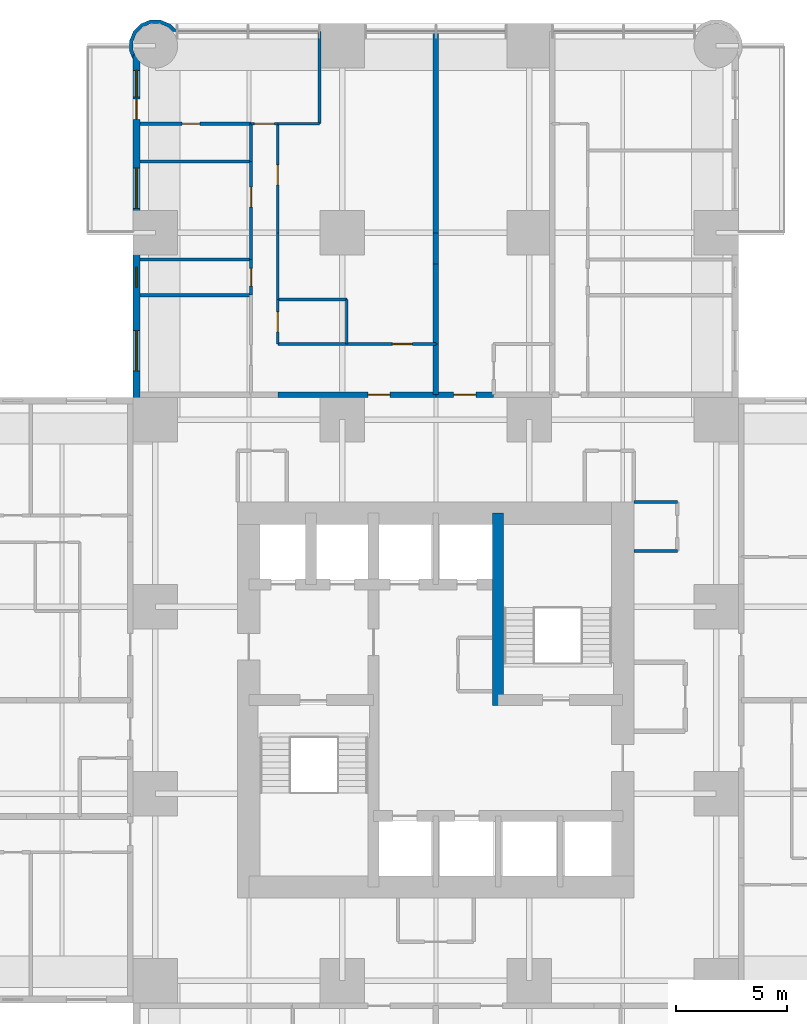
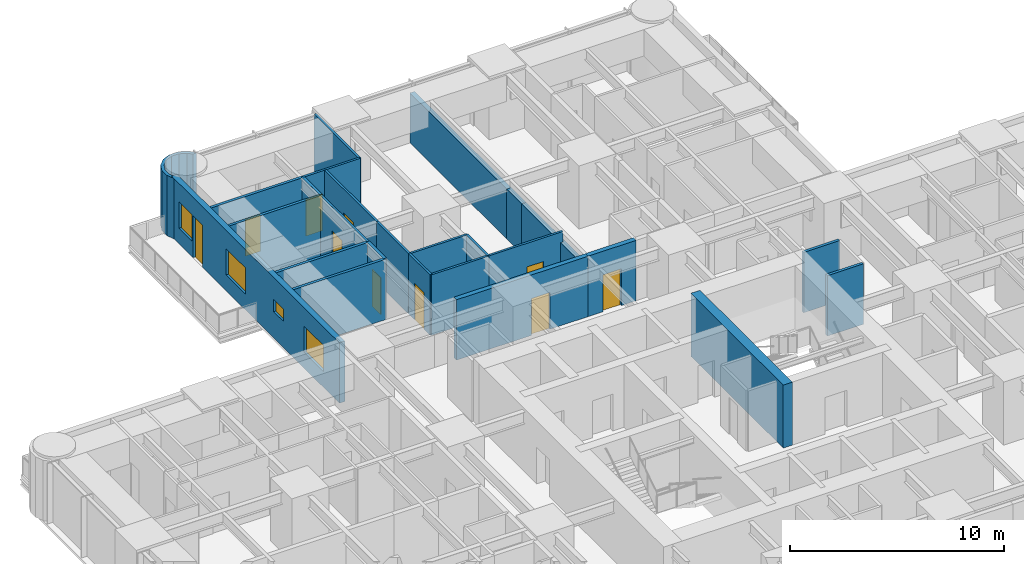
# One storey, part 13 of 17: 28 walls, 10 doors, 4 windows, 14 openings.
"""IFC4 building model written with IfcOpenShell, lengths in metres."""

from ifc_helpers import new_model, si_unit, direction, frame, frame_2d, origin, place, context, subcontext, project, spatial, polyline, rectangle, outline, extrude, material, layer, layer_set, type_object, element, fill, save


model = new_model("IFC4")

# Units and contexts
model_context = context("Model", 3, precision=1e-05, world=origin(), true_north=direction((0.0, 1.0)))
body_context = subcontext(model_context, "Body", "Model", "MODEL_VIEW")
ifc_project = project(units=[si_unit("LENGTHUNIT", "METRE"), si_unit("AREAUNIT", "SQUARE_METRE"), si_unit("VOLUMEUNIT", "CUBIC_METRE"), si_unit("PLANEANGLEUNIT", "RADIAN"), si_unit("MASSUNIT", "GRAM", prefix="KILO")], contexts=[model_context])

# Site, building, storey
site_placement = place(None, origin())
site = spatial("IfcSite", under=ifc_project, at=site_placement, CompositionType="ELEMENT")
building_placement = place(site_placement, origin())
building = spatial("IfcBuilding", under=site, at=building_placement, Name="Torre Alcanfor", CompositionType="ELEMENT")
storey_placement = place(building_placement, frame((0.0, 0.0, 95.699951171875)))
storey = spatial("IfcBuildingStorey", under=building, at=storey_placement, Name="L24", CompositionType="ELEMENT", Elevation=95.699951171875)

# Wall, opening, door
ifc_material_1 = material(Name="Concrete block masonry, hollow blocks NMX-C-404 9 MPa", Category="masonry")
ifc_layer_1 = layer(ifc_material_1, 0.25)
ifc_layer_set_1 = layer_set([ifc_layer_1], Name="Apartment entrance wall 250 EI 60")
wall_type_1 = type_object("IfcWallType", Name="Apartment entrance wall 250 EI 60", PredefinedType="PARTITIONING", material=ifc_layer_set_1)
wall_1_placement = place(storey_placement, frame((22.300048828125, 43.125, 0.0), z_axis=(0.0, 0.0, 1.0), x_axis=(1.0, 0.0, 0.0)))
wall_1 = element("IfcWall", 1, at=wall_1_placement, inside=storey, type_object=wall_type_1, Name="Partition L24-CORR / L24-N1-ZAG", PredefinedType="PARTITIONING", context=body_context, shape_type="SweptSolid", body=[
    extrude(rectangle(XDim=7.099853515625, YDim=0.25, at=frame_2d((3.5498046875, 0.0))), origin(), (0.0, 0.0, 1.0), 3.449951171875),
])
opening_1_placement = place(wall_1_placement, frame((4.050048828125, 0.0, 0.0)))
opening_1 = element("IfcOpeningElement", 2, at=opening_1_placement, cuts=wall_1, Name="Opening D-A1", PredefinedType="OPENING", context=body_context, shape_type="SweptSolid", body=[
    extrude(rectangle(XDim=1.0, YDim=2.10009765625, at=frame_2d((0.5, 1.050048828125))), frame((0.0, 0.135009765625, 0.0), z_axis=(0.0, -1.0, 0.0), x_axis=(1.0, 0.0, 0.0)), (0.0, 0.0, 1.0), 0.27001953125),
])
ifc_material_2 = material(Name="Galvanised steel sheet ASTM A653", Category="steel")
door_type_1 = type_object("IfcDoorType", Name="Apartment entrance door FD60 1000x2100", OperationType="SINGLE_SWING_LEFT", PredefinedType="DOOR", material=ifc_material_2)
door_1_placement = place(opening_1_placement, origin())
door_1 = element("IfcDoor", 3, at=door_1_placement, inside=storey, type_object=door_type_1, Name="Apartment entrance L24-N1", OperationType="SINGLE_SWING_RIGHT", OverallHeight=2.10009765625, OverallWidth=1.0, PredefinedType="DOOR", context=body_context, shape_type="SweptSolid", body=[
    extrude(rectangle(XDim=1.0, YDim=2.10009765625, at=frame_2d((0.5, 1.050048828125))), frame((0.0, 0.02490234375, 0.0), z_axis=(0.0, -1.0, 0.0), x_axis=(1.0, 0.0, 0.0)), (0.0, 0.0, 1.0), 0.050048828125),
])
fill(opening_1, door_1)

wall_2_placement = place(storey_placement, frame((29.39990234375, 43.125, 0.0), z_axis=(0.0, 0.0, 1.0), x_axis=(1.0, 0.0, 0.0)))
wall_2 = element("IfcWall", 4, at=wall_2_placement, inside=storey, type_object=wall_type_1, Name="Partition L24-CORR / L24-N2A-FOYER", PredefinedType="PARTITIONING", context=body_context, shape_type="SweptSolid", body=[
    extrude(rectangle(XDim=2.60009765625, YDim=0.25, at=frame_2d((1.300048828125, 0.0))), origin(), (0.0, 0.0, 1.0), 3.449951171875),
])
opening_2_placement = place(wall_2_placement, frame((0.800048828125, 0.0, 0.0)))
opening_2 = element("IfcOpeningElement", 5, at=opening_2_placement, cuts=wall_2, Name="Opening D-A1", PredefinedType="OPENING", context=body_context, shape_type="SweptSolid", body=[
    extrude(rectangle(XDim=1.0, YDim=2.10009765625, at=frame_2d((0.5, 1.050048828125))), frame((0.0, 0.135009765625, 0.0), z_axis=(0.0, -1.0, 0.0), x_axis=(1.0, 0.0, 0.0)), (0.0, 0.0, 1.0), 0.27001953125),
])
door_2_placement = place(opening_2_placement, origin())
door_2 = element("IfcDoor", 6, at=door_2_placement, inside=storey, type_object=door_type_1, Name="Apartment entrance L24-N2A", OperationType="SINGLE_SWING_LEFT", OverallHeight=2.10009765625, OverallWidth=1.0, PredefinedType="DOOR", context=body_context, shape_type="SweptSolid", body=[
    extrude(rectangle(XDim=1.0, YDim=2.10009765625, at=frame_2d((0.5, 1.050048828125))), frame((0.0, 0.02490234375, 0.0), z_axis=(0.0, -1.0, 0.0), x_axis=(1.0, 0.0, 0.0)), (0.0, 0.0, 1.0), 0.050048828125),
])
fill(opening_2, door_2)

ifc_material_3 = material(Name="Gypsum board on steel studs", Category="steel")
ifc_layer_2 = layer(ifc_material_3, 0.1201171875)
ifc_layer_set_2 = layer_set([ifc_layer_2], Name="Apartment partition 120")
wall_type_2 = type_object("IfcWallType", Name="Apartment partition 120", PredefinedType="PARTITIONING", material=ifc_layer_set_2)
wall_3_placement = place(storey_placement, frame((29.39990234375, 45.39990234375, 0.0), z_axis=(0.0, 0.0, 1.0), x_axis=(-1.0, 0.0, 0.0)))
wall_3 = element("IfcWall", 7, at=wall_3_placement, inside=storey, type_object=wall_type_2, Name="Partition L24-N1-ZAG / L24-N1-KITCHEN", PredefinedType="PARTITIONING", context=body_context, shape_type="SweptSolid", body=[
    extrude(rectangle(XDim=4.0, YDim=0.1201171875, at=frame_2d((2.0, 0.0))), origin(), (0.0, 0.0, 1.0), 3.449951171875),
])
opening_3_placement = place(wall_3_placement, frame((1.050048828125, 0.0, 0.0)))
opening_3 = element("IfcOpeningElement", 8, at=opening_3_placement, cuts=wall_3, Name="Opening D-R1", PredefinedType="OPENING", context=body_context, shape_type="SweptSolid", body=[
    extrude(rectangle(XDim=0.89990234375, YDim=2.10009765625, at=frame_2d((0.449951171875, 1.050048828125))), frame((0.0, 0.070068359375, 0.0), z_axis=(0.0, -1.0, 0.0), x_axis=(1.0, 0.0, 0.0)), (0.0, 0.0, 1.0), 0.14013671875),
])
ifc_material_4 = material(Name="Timber", Category="wood")
door_type_2 = type_object("IfcDoorType", Name="Internal door 900x2100", OperationType="SINGLE_SWING_LEFT", PredefinedType="DOOR", material=ifc_material_4)
door_3_placement = place(opening_3_placement, frame((0.89990234375, 0.0, 0.0), z_axis=(0.0, 0.0, 1.0), x_axis=(-1.0, 0.0, 0.0)))
door_3 = element("IfcDoor", 9, at=door_3_placement, inside=storey, type_object=door_type_2, Name="Door L24-N1 kitchen", OperationType="SINGLE_SWING_RIGHT", OverallHeight=2.10009765625, OverallWidth=0.89990234375, PredefinedType="DOOR", context=body_context, shape_type="SweptSolid", body=[
    extrude(rectangle(XDim=0.89990234375, YDim=2.10009765625, at=frame_2d((0.449951171875, 1.050048828125))), frame((0.0, 0.025146484375, 0.0), z_axis=(0.0, -1.0, 0.0), x_axis=(1.0, 0.0, 0.0)), (0.0, 0.0, 1.0), 0.050048828125),
])
fill(opening_3, door_3)

# Walls
wall_4_placement = place(storey_placement, frame((25.39990234375, 45.39990234375, 0.0), z_axis=(0.0, 0.0, 1.0), x_axis=(-1.0, 0.0, 0.0)))
element("IfcWall", 10, at=wall_4_placement, inside=storey, type_object=wall_type_2, Name="Partition L24-N1-ZAG / L24-N1-UTIL", PredefinedType="PARTITIONING", context=body_context, shape_type="SweptSolid", body=[
    extrude(rectangle(XDim=3.099853515625, YDim=0.1201171875, at=frame_2d((1.5498046875, 0.0))), origin(), (0.0, 0.0, 1.0), 3.449951171875),
])
wall_5_placement = place(storey_placement, frame((25.39990234375, 45.39990234375, 0.0), z_axis=(0.0, 0.0, 1.0), x_axis=(0.0, 1.0, 0.0)))
element("IfcWall", 11, at=wall_5_placement, inside=storey, type_object=wall_type_2, Name="Partition L24-N1-KITCHEN / L24-N1-UTIL", PredefinedType="PARTITIONING", context=body_context, shape_type="SweptSolid", body=[
    extrude(rectangle(XDim=2.0, YDim=0.1201171875, at=frame_2d((1.0, 0.0))), origin(), (0.0, 0.0, 1.0), 3.449951171875),
])
wall_6_placement = place(storey_placement, frame((25.39990234375, 47.39990234375, 0.0), z_axis=(0.0, 0.0, 1.0), x_axis=(-1.0, 0.0, 0.0)))
element("IfcWall", 12, at=wall_6_placement, inside=storey, type_object=wall_type_2, Name="Partition L24-N1-KITCHEN / L24-N1-UTIL", PredefinedType="PARTITIONING", context=body_context, shape_type="SweptSolid", body=[
    extrude(rectangle(XDim=3.099853515625, YDim=0.1201171875, at=frame_2d((1.5498046875, 0.0))), origin(), (0.0, 0.0, 1.0), 3.449951171875),
])
wall_7_placement = place(storey_placement, frame((22.300048828125, 47.39990234375, 0.0), z_axis=(0.0, 0.0, 1.0), x_axis=(0.0, 1.0, 0.0)))
element("IfcWall", 13, at=wall_7_placement, inside=storey, type_object=wall_type_2, Name="Partition L24-N1-KITCHEN / L24-N1-HALL", PredefinedType="PARTITIONING", context=body_context, shape_type="SweptSolid", body=[
    extrude(rectangle(XDim=3.0, YDim=0.1201171875, at=frame_2d((1.5, 0.0))), origin(), (0.0, 0.0, 1.0), 3.449951171875),
])

# Wall, opening, door
wall_8_placement = place(storey_placement, frame((22.300048828125, 47.39990234375, 0.0), z_axis=(0.0, 0.0, 1.0), x_axis=(0.0, -1.0, 0.0)))
wall_8 = element("IfcWall", 14, at=wall_8_placement, inside=storey, type_object=wall_type_2, Name="Partition L24-N1-UTIL / L24-N1-HALL", PredefinedType="PARTITIONING", context=body_context, shape_type="SweptSolid", body=[
    extrude(rectangle(XDim=2.0, YDim=0.1201171875, at=frame_2d((1.0, 0.0))), origin(), (0.0, 0.0, 1.0), 3.449951171875),
])
opening_4_placement = place(wall_8_placement, frame((0.550048828125, 0.0, 0.0)))
opening_4 = element("IfcOpeningElement", 15, at=opening_4_placement, cuts=wall_8, Name="Opening D-R1", PredefinedType="OPENING", context=body_context, shape_type="SweptSolid", body=[
    extrude(rectangle(XDim=0.89990234375, YDim=2.10009765625, at=frame_2d((0.449951171875, 1.050048828125))), frame((0.0, 0.070068359375, 0.0), z_axis=(0.0, -1.0, 0.0), x_axis=(1.0, 0.0, 0.0)), (0.0, 0.0, 1.0), 0.14013671875),
])
door_4_placement = place(opening_4_placement, origin())
door_4 = element("IfcDoor", 16, at=door_4_placement, inside=storey, type_object=door_type_2, Name="Door L24-N1 util", OperationType="SINGLE_SWING_LEFT", OverallHeight=2.10009765625, OverallWidth=0.89990234375, PredefinedType="DOOR", context=body_context, shape_type="SweptSolid", body=[
    extrude(rectangle(XDim=0.89990234375, YDim=2.10009765625, at=frame_2d((0.449951171875, 1.050048828125))), frame((0.0, 0.02490234375, 0.0), z_axis=(0.0, -1.0, 0.0), x_axis=(1.0, 0.0, 0.0)), (0.0, 0.0, 1.0), 0.050048828125),
])
fill(opening_4, door_4)

wall_9_placement = place(storey_placement, frame((22.300048828125, 50.39990234375, 0.0), z_axis=(0.0, 0.0, 1.0), x_axis=(0.0, 1.0, 0.0)))
wall_9 = element("IfcWall", 17, at=wall_9_placement, inside=storey, type_object=wall_type_2, Name="Partition L24-N1-LIVING / L24-N1-HALL", PredefinedType="PARTITIONING", context=body_context, shape_type="SweptSolid", body=[
    extrude(rectangle(XDim=4.900146484375, YDim=0.1201171875, at=frame_2d((2.4501953125, 0.0))), origin(), (0.0, 0.0, 1.0), 3.449951171875),
])
opening_5_placement = place(wall_9_placement, frame((2.14990234375, 0.0, 0.0)))
opening_5 = element("IfcOpeningElement", 18, at=opening_5_placement, cuts=wall_9, Name="Opening D-R1", PredefinedType="OPENING", context=body_context, shape_type="SweptSolid", body=[
    extrude(rectangle(XDim=0.89990234375, YDim=2.10009765625, at=frame_2d((0.449951171875, 1.050048828125))), frame((0.0, 0.070068359375, 0.0), z_axis=(0.0, -1.0, 0.0), x_axis=(1.0, 0.0, 0.0)), (0.0, 0.0, 1.0), 0.14013671875),
])
door_5_placement = place(opening_5_placement, frame((0.89990234375, 0.0, 0.0), z_axis=(0.0, 0.0, 1.0), x_axis=(-1.0, 0.0, 0.0)))
door_5 = element("IfcDoor", 19, at=door_5_placement, inside=storey, type_object=door_type_2, Name="Door L24-N1 living", OperationType="SINGLE_SWING_LEFT", OverallHeight=2.10009765625, OverallWidth=0.89990234375, PredefinedType="DOOR", context=body_context, shape_type="SweptSolid", body=[
    extrude(rectangle(XDim=0.89990234375, YDim=2.10009765625, at=frame_2d((0.449951171875, 1.050048828125))), frame((0.0, 0.025146484375, 0.0), z_axis=(0.0, -1.0, 0.0), x_axis=(1.0, 0.0, 0.0)), (0.0, 0.0, 1.0), 0.050048828125),
])
fill(opening_5, door_5)

# Walls
wall_10_placement = place(storey_placement, frame((22.300048828125, 55.300048828125, 0.0), z_axis=(0.0, 0.0, 1.0), x_axis=(1.0, 0.0, 0.0)))
element("IfcWall", 20, at=wall_10_placement, inside=storey, type_object=wall_type_2, Name="Partition L24-N1-LIVING / L24-N1-MASTER", PredefinedType="PARTITIONING", context=body_context, shape_type="SweptSolid", body=[
    extrude(rectangle(XDim=1.870849609375, YDim=0.1201171875, at=frame_2d((0.935546875, 0.0))), origin(), (0.0, 0.0, 1.0), 3.449951171875),
])
wall_11_placement = place(storey_placement, frame((24.1708984375, 55.300048828125, 0.0), z_axis=(0.0, 0.0, 1.0), x_axis=(0.0, 1.0, 0.0)))
element("IfcWall", 21, at=wall_11_placement, inside=storey, type_object=wall_type_2, Name="Partition L24-N1-LIVING / L24-N1-MASTER", PredefinedType="PARTITIONING", context=body_context, shape_type="SweptSolid", body=[
    extrude(rectangle(XDim=4.14990234375, YDim=0.1201171875, at=frame_2d((2.074951171875, 0.0))), origin(), (0.0, 0.0, 1.0), 3.449951171875),
])

# Wall, opening, door
wall_12_placement = place(storey_placement, frame((21.10009765625, 53.60009765625, 0.0), z_axis=(0.0, 0.0, 1.0), x_axis=(0.0, -1.0, 0.0)))
wall_12 = element("IfcWall", 22, at=wall_12_placement, inside=storey, type_object=wall_type_2, Name="Partition L24-N1-HALL / L24-N1-BED2", PredefinedType="PARTITIONING", context=body_context, shape_type="SweptSolid", body=[
    extrude(rectangle(XDim=4.400146484375, YDim=0.1201171875, at=frame_2d((2.2001953125, 0.0))), origin(), (0.0, 0.0, 1.0), 3.449951171875),
])
opening_6_placement = place(wall_12_placement, frame((1.14990234375, 0.0, 0.0)))
opening_6 = element("IfcOpeningElement", 23, at=opening_6_placement, cuts=wall_12, Name="Opening D-R1", PredefinedType="OPENING", context=body_context, shape_type="SweptSolid", body=[
    extrude(rectangle(XDim=0.89990234375, YDim=2.10009765625, at=frame_2d((0.449951171875, 1.050048828125))), frame((0.0, 0.070068359375, 0.0), z_axis=(0.0, -1.0, 0.0), x_axis=(1.0, 0.0, 0.0)), (0.0, 0.0, 1.0), 0.14013671875),
])
door_6_placement = place(opening_6_placement, frame((0.89990234375, 0.0, 0.0), z_axis=(0.0, 0.0, 1.0), x_axis=(-1.0, 0.0, 0.0)))
door_6 = element("IfcDoor", 24, at=door_6_placement, inside=storey, type_object=door_type_2, Name="Door L24-N1 bed2", OperationType="SINGLE_SWING_RIGHT", OverallHeight=2.10009765625, OverallWidth=0.89990234375, PredefinedType="DOOR", context=body_context, shape_type="SweptSolid", body=[
    extrude(rectangle(XDim=0.89990234375, YDim=2.10009765625, at=frame_2d((0.449951171875, 1.050048828125))), frame((0.0, 0.025146484375, 0.0), z_axis=(0.0, -1.0, 0.0), x_axis=(1.0, 0.0, 0.0)), (0.0, 0.0, 1.0), 0.050048828125),
])
fill(opening_6, door_6)

wall_13_placement = place(storey_placement, frame((22.300048828125, 55.300048828125, 0.0), z_axis=(0.0, 0.0, 1.0), x_axis=(-1.0, 0.0, 0.0)))
wall_13 = element("IfcWall", 25, at=wall_13_placement, inside=storey, type_object=wall_type_2, Name="Partition L24-N1-HALL / L24-N1-MASTER", PredefinedType="PARTITIONING", context=body_context, shape_type="SweptSolid", body=[
    extrude(rectangle(XDim=1.199951171875, YDim=0.1201171875, at=frame_2d((0.60009765625, 0.0))), origin(), (0.0, 0.0, 1.0), 3.449951171875),
])
opening_7_placement = place(wall_13_placement, frame((0.14990234375, 0.0, 0.0)))
opening_7 = element("IfcOpeningElement", 26, at=opening_7_placement, cuts=wall_13, Name="Opening D-R1", PredefinedType="OPENING", context=body_context, shape_type="SweptSolid", body=[
    extrude(rectangle(XDim=0.89990234375, YDim=2.10009765625, at=frame_2d((0.449951171875, 1.050048828125))), frame((0.0, 0.070068359375, 0.0), z_axis=(0.0, -1.0, 0.0), x_axis=(1.0, 0.0, 0.0)), (0.0, 0.0, 1.0), 0.14013671875),
])
door_7_placement = place(opening_7_placement, frame((0.89990234375, 0.0, 0.0), z_axis=(0.0, 0.0, 1.0), x_axis=(-1.0, 0.0, 0.0)))
door_7 = element("IfcDoor", 27, at=door_7_placement, inside=storey, type_object=door_type_2, Name="Door L24-N1 master", OperationType="SINGLE_SWING_RIGHT", OverallHeight=2.10009765625, OverallWidth=0.89990234375, PredefinedType="DOOR", context=body_context, shape_type="SweptSolid", body=[
    extrude(rectangle(XDim=0.89990234375, YDim=2.10009765625, at=frame_2d((0.449951171875, 1.050048828125))), frame((0.0, 0.025146484375, 0.0), z_axis=(0.0, -1.0, 0.0), x_axis=(1.0, 0.0, 0.0)), (0.0, 0.0, 1.0), 0.050048828125),
])
fill(opening_7, door_7)

# Wall
ifc_material_5 = material(Name="Concrete f'c 70 MPa", Category="concrete")
ifc_layer_3 = layer(ifc_material_5, 0.5)
ifc_layer_set_3 = layer_set([ifc_layer_3], Name="Core inner wall 500 f'c70")
wall_type_3 = type_object("IfcWallType", Name="Core inner wall 500 f'c70", PredefinedType="SHEAR", material=ifc_layer_set_3)
wall_14_placement = place(storey_placement, frame((32.199951171875, 29.14990234375, 0.0), z_axis=(0.0, 0.0, 1.0), x_axis=(0.0, 1.0, 0.0)))
element("IfcWall", 28, at=wall_14_placement, inside=storey, type_object=wall_type_3, Name="Core wall X322N L24", PredefinedType="SHEAR", context=body_context, shape_type="SweptSolid", body=[
    extrude(rectangle(XDim=8.650146484375, YDim=0.5, at=frame_2d((4.3251953125, 0.0))), origin(), (0.0, 0.0, 1.0), 3.60009765625),
])

# Wall, openings, door, windows
ifc_material_6 = material(Name="Limestone cladding", Category="masonry")
ifc_layer_4 = layer(ifc_material_6, 0.0400390625, Name="Facing")
ifc_material_7 = material(Name="Ventilated air cavity")
ifc_layer_5 = layer(ifc_material_7, 0.02001953125, ventilated=True, Name="Ventilated joint")
ifc_material_8 = material(Name="Mineral wool insulation", Category="insulation")
ifc_layer_6 = layer(ifc_material_8, 0.10009765625, Name="Insulation")
ifc_material_9 = material(Name="Concrete f'c 35 MPa", Category="concrete")
ifc_layer_7 = layer(ifc_material_9, 0.139892578125, Name="Backing")
ifc_layer_set_4 = layer_set([ifc_layer_4, ifc_layer_5, ifc_layer_6, ifc_layer_7], Name="External wall stone-clad 300")
wall_type_4 = type_object("IfcWallType", Name="External wall stone-clad 300", PredefinedType="SOLIDWALL", material=ifc_layer_set_4)
wall_15_placement = place(storey_placement, frame((15.949951171875, 58.39990234375, 0.0), z_axis=(0.0, 0.0, 1.0), x_axis=(0.0, -1.0, 0.0)))
wall_15 = element("IfcWall", 29, at=wall_15_placement, inside=storey, type_object=wall_type_4, Name="External wall L24 12", PredefinedType="SOLIDWALL", context=body_context, shape_type="SweptSolid", body=[
    extrude(rectangle(XDim=15.699951171875, YDim=0.300048828125, at=frame_2d((7.85009765625, 0.0))), origin(), (0.0, 0.0, 1.0), 3.449951171875),
])
opening_8_placement = place(wall_15_placement, frame((12.39990234375, 0.0, 0.89990234375)))
opening_8 = element("IfcOpeningElement", 30, at=opening_8_placement, cuts=wall_15, Name="Opening W2", PredefinedType="OPENING", context=body_context, shape_type="SweptSolid", body=[
    extrude(rectangle(XDim=1.800048828125, YDim=1.5, at=frame_2d((0.89990234375, 0.75))), frame((0.0, 0.159912109375, 0.0), z_axis=(0.0, -1.0, 0.0), x_axis=(1.0, 0.0, 0.0)), (0.0, 0.0, 1.0), 0.320068359375),
])
opening_9_placement = place(wall_15_placement, frame((9.550048828125, 0.0, 1.5)))
opening_9 = element("IfcOpeningElement", 31, at=opening_9_placement, cuts=wall_15, Name="Opening W3", PredefinedType="OPENING", context=body_context, shape_type="SweptSolid", body=[
    extrude(rectangle(XDim=0.89990234375, YDim=0.699951171875, at=frame_2d((0.449951171875, 0.35009765625))), frame((0.0, 0.159912109375, 0.0), z_axis=(0.0, -1.0, 0.0), x_axis=(1.0, 0.0, 0.0)), (0.0, 0.0, 1.0), 0.320068359375),
])
opening_10_placement = place(wall_15_placement, frame((5.10009765625, 0.0, 0.89990234375)))
opening_10 = element("IfcOpeningElement", 32, at=opening_10_placement, cuts=wall_15, Name="Opening W2", PredefinedType="OPENING", context=body_context, shape_type="SweptSolid", body=[
    extrude(rectangle(XDim=1.800048828125, YDim=1.5, at=frame_2d((0.89990234375, 0.75))), frame((0.0, 0.159912109375, 0.0), z_axis=(0.0, -1.0, 0.0), x_axis=(1.0, 0.0, 0.0)), (0.0, 0.0, 1.0), 0.320068359375),
])
opening_11_placement = place(wall_15_placement, frame((2.0, 0.0, 0.0)))
opening_11 = element("IfcOpeningElement", 33, at=opening_11_placement, cuts=wall_15, Name="Opening D-B1", PredefinedType="OPENING", context=body_context, shape_type="SweptSolid", body=[
    extrude(rectangle(XDim=0.89990234375, YDim=2.39990234375, at=frame_2d((0.449951171875, 1.199951171875))), frame((0.0, 0.159912109375, 0.0), z_axis=(0.0, -1.0, 0.0), x_axis=(1.0, 0.0, 0.0)), (0.0, 0.0, 1.0), 0.320068359375),
])
opening_12_placement = place(wall_15_placement, frame((0.699951171875, 0.0, 0.89990234375)))
opening_12 = element("IfcOpeningElement", 34, at=opening_12_placement, cuts=wall_15, Name="Opening W4", PredefinedType="OPENING", context=body_context, shape_type="SweptSolid", body=[
    extrude(rectangle(XDim=1.199951171875, YDim=1.5, at=frame_2d((0.60009765625, 0.75))), frame((0.0, 0.159912109375, 0.0), z_axis=(0.0, -1.0, 0.0), x_axis=(1.0, 0.0, 0.0)), (0.0, 0.0, 1.0), 0.320068359375),
])
ifc_material_10 = material(Name="Aluminium and glass", Category="aluminium")
door_type_3 = type_object("IfcDoorType", Name="Balcony door glazed 900x2400", OperationType="SINGLE_SWING_LEFT", PredefinedType="DOOR", material=ifc_material_10)
door_8_placement = place(opening_11_placement, origin())
door_8 = element("IfcDoor", 35, at=door_8_placement, inside=storey, type_object=door_type_3, Name="Balcony door L24-N1", OperationType="SINGLE_SWING_RIGHT", OverallHeight=2.39990234375, OverallWidth=0.89990234375, PredefinedType="DOOR", context=body_context, shape_type="SweptSolid", body=[
    extrude(rectangle(XDim=0.89990234375, YDim=2.39990234375, at=frame_2d((0.449951171875, 1.199951171875))), frame((0.0, 0.02490234375, 0.0), z_axis=(0.0, -1.0, 0.0), x_axis=(1.0, 0.0, 0.0)), (0.0, 0.0, 1.0), 0.050048828125),
])
fill(opening_11, door_8)
ifc_material_11 = material(Name="Aluminium frame with clear double glazing", Category="aluminium")
window_type_1 = type_object("IfcWindowType", Name="Window bathroom 900x700", PartitioningType="SINGLE_PANEL", PredefinedType="WINDOW", material=ifc_material_11)
window_1_placement = place(opening_9_placement, origin())
window_1 = element("IfcWindow", 36, at=window_1_placement, inside=storey, type_object=window_type_1, Name="Window W3 L24-N1", OverallHeight=0.699951171875, OverallWidth=0.89990234375, PartitioningType="SINGLE_PANEL", PredefinedType="WINDOW", context=body_context, shape_type="SweptSolid", body=[
    extrude(rectangle(XDim=0.89990234375, YDim=0.699951171875, at=frame_2d((0.449951171875, 0.35009765625))), frame((0.0, 0.030029296875, 0.0), z_axis=(0.0, -1.0, 0.0), x_axis=(1.0, 0.0, 0.0)), (0.0, 0.0, 1.0), 0.06005859375),
])
fill(opening_9, window_1)
ifc_material_12 = material(Name="Aluminium frame with clear double glazing", Category="aluminium")
window_type_2 = type_object("IfcWindowType", Name="Window bedroom 1200x1500", PartitioningType="SINGLE_PANEL", PredefinedType="WINDOW", material=ifc_material_12)
window_2_placement = place(opening_12_placement, origin())
window_2 = element("IfcWindow", 37, at=window_2_placement, inside=storey, type_object=window_type_2, Name="Window W4 L24-N1", OverallHeight=1.5, OverallWidth=1.199951171875, PartitioningType="SINGLE_PANEL", PredefinedType="WINDOW", context=body_context, shape_type="SweptSolid", body=[
    extrude(rectangle(XDim=1.199951171875, YDim=1.5, at=frame_2d((0.60009765625, 0.75))), frame((0.0, 0.030029296875, 0.0), z_axis=(0.0, -1.0, 0.0), x_axis=(1.0, 0.0, 0.0)), (0.0, 0.0, 1.0), 0.06005859375),
])
fill(opening_12, window_2)
ifc_material_13 = material(Name="Aluminium frame with clear double glazing", Category="aluminium")
window_type_3 = type_object("IfcWindowType", Name="Window bedroom 1800x1500", PartitioningType="SINGLE_PANEL", PredefinedType="WINDOW", material=ifc_material_13)
window_3_placement = place(opening_8_placement, origin())
window_3 = element("IfcWindow", 38, at=window_3_placement, inside=storey, type_object=window_type_3, Name="Window W2 L24-N1", OverallHeight=1.5, OverallWidth=1.800048828125, PartitioningType="SINGLE_PANEL", PredefinedType="WINDOW", context=body_context, shape_type="SweptSolid", body=[
    extrude(rectangle(XDim=1.800048828125, YDim=1.5, at=frame_2d((0.89990234375, 0.75))), frame((0.0, 0.030029296875, 0.0), z_axis=(0.0, -1.0, 0.0), x_axis=(1.0, 0.0, 0.0)), (0.0, 0.0, 1.0), 0.06005859375),
])
fill(opening_8, window_3)
window_4_placement = place(opening_10_placement, origin())
window_4 = element("IfcWindow", 39, at=window_4_placement, inside=storey, type_object=window_type_3, Name="Window W2 L24-N1", OverallHeight=1.5, OverallWidth=1.800048828125, PartitioningType="SINGLE_PANEL", PredefinedType="WINDOW", context=body_context, shape_type="SweptSolid", body=[
    extrude(rectangle(XDim=1.800048828125, YDim=1.5, at=frame_2d((0.89990234375, 0.75))), frame((0.0, 0.030029296875, 0.0), z_axis=(0.0, -1.0, 0.0), x_axis=(1.0, 0.0, 0.0)), (0.0, 0.0, 1.0), 0.06005859375),
])
fill(opening_10, window_4)

# Walls
ifc_material_14 = material(Name="Concrete block masonry, hollow blocks NMX-C-404 9 MPa", Category="masonry")
ifc_layer_8 = layer(ifc_material_14, 0.25)
ifc_layer_set_5 = layer_set([ifc_layer_8], Name="Party wall 250 EI 60")
wall_type_5 = type_object("IfcWallType", Name="Party wall 250 EI 60", PredefinedType="PARTITIONING", material=ifc_layer_set_5)
wall_16_placement = place(storey_placement, frame((29.39990234375, 43.125, 0.0), z_axis=(0.0, 0.0, 1.0), x_axis=(0.0, 1.0, 0.0)))
element("IfcWall", 40, at=wall_16_placement, inside=storey, type_object=wall_type_5, Name="Partition L24-N1-ZAG / L24-N2A-FOYER", PredefinedType="PARTITIONING", context=body_context, shape_type="SweptSolid", body=[
    extrude(rectangle(XDim=2.27490234375, YDim=0.25, at=frame_2d((1.137451171875, 0.0))), origin(), (0.0, 0.0, 1.0), 2.84814453125),
])
wall_17_placement = place(storey_placement, frame((29.39990234375, 49.0, 0.0), z_axis=(0.0, 0.0, 1.0), x_axis=(0.0, -1.0, 0.0)))
element("IfcWall", 41, at=wall_17_placement, inside=storey, type_object=wall_type_5, Name="Partition L24-N1-KITCHEN / L24-N2A-KITCHEN", PredefinedType="PARTITIONING", context=body_context, shape_type="SweptSolid", body=[
    extrude(rectangle(XDim=3.60009765625, YDim=0.25, at=frame_2d((1.800048828125, 0.0))), origin(), (0.0, 0.0, 1.0), 2.84814453125),
])
wall_18_placement = place(storey_placement, frame((29.39990234375, 50.39990234375, 0.0), z_axis=(0.0, 0.0, 1.0), x_axis=(0.0, -1.0, 0.0)))
element("IfcWall", 42, at=wall_18_placement, inside=storey, type_object=wall_type_5, Name="Partition L24-N1-KITCHEN / L24-N2A-STUDIO", PredefinedType="PARTITIONING", context=body_context, shape_type="SweptSolid", body=[
    extrude(rectangle(XDim=1.39990234375, YDim=0.25, at=frame_2d((0.699951171875, 0.0))), origin(), (0.0, 0.0, 1.0), 2.84814453125),
])
wall_19_placement = place(storey_placement, frame((29.39990234375, 59.449951171875, 0.0), z_axis=(0.0, 0.0, 1.0), x_axis=(0.0, -1.0, 0.0)))
element("IfcWall", 43, at=wall_19_placement, inside=storey, type_object=wall_type_5, Name="Partition L24-N1-LIVING / L24-N2A-STUDIO", PredefinedType="PARTITIONING", context=body_context, shape_type="SweptSolid", body=[
    extrude(rectangle(XDim=9.050048828125, YDim=0.25, at=frame_2d((4.52490234375, 0.0))), origin(), (0.0, 0.0, 1.0), 2.84814453125),
])
ifc_material_15 = material(Name="Concrete block masonry, hollow blocks NMX-C-404 9 MPa", Category="masonry")
ifc_layer_9 = layer(ifc_material_15, 0.14990234375)
ifc_layer_set_6 = layer_set([ifc_layer_9], Name="Residents' room partition 150")
wall_type_6 = type_object("IfcWallType", Name="Residents' room partition 150", PredefinedType="PARTITIONING", material=ifc_layer_set_6)
for number, where, z_axis, x_axis, name in (
    (44, (38.300048828125, 36.10009765625, 0.0), (0.0, 0.0, 1.0), (1.0, 0.0, 0.0), "Partition L24-CORR / L24-G04"),
    (45, (40.25, 38.300048828125, 0.0), (0.0, 0.0, 1.0), (-1.0, 0.0, 0.0), "Partition L24-CORR / L24-G04"),
):
    element("IfcWall", number, at=place(storey_placement, frame(where, z_axis=z_axis, x_axis=x_axis)), inside=storey, type_object=wall_type_6, Name=name, PredefinedType="PARTITIONING", context=body_context, shape_type="SweptSolid", body=[
        extrude(rectangle(XDim=1.949951171875, YDim=0.14990234375, at=frame_2d((0.97509765625, 0.0))), origin(), (0.0, 0.0, 1.0), 3.449951171875),
    ])
ifc_layer_10 = layer(ifc_material_6, 0.0400390625, Name="Facing")
ifc_layer_11 = layer(ifc_material_7, 0.02001953125, ventilated=True, Name="Ventilated joint")
ifc_layer_12 = layer(ifc_material_8, 0.10009765625, Name="Insulation")
ifc_layer_13 = layer(ifc_material_9, 0.139892578125, Name="Backing")
ifc_layer_set_7 = layer_set([ifc_layer_10, ifc_layer_11, ifc_layer_12, ifc_layer_13], Name="Rounded corner pier stone-clad 300")
wall_type_7 = type_object("IfcWallType", Name="Rounded corner pier stone-clad 300", PredefinedType="SOLIDWALL", material=ifc_layer_set_7)
wall_20_placement = place(storey_placement, frame((17.667523535, 59.443275148, 0.0), z_axis=(0.0, 0.0, 1.0), x_axis=(-0.555974394895, 0.831199417842, 0.0)))
element("IfcWall", 46, at=wall_20_placement, inside=storey, type_object=wall_type_7, Name="Corner pier L24 20", PredefinedType="SOLIDWALL", context=body_context, shape_type="SweptSolid", body=[
    extrude(outline(polyline([(0.0045565698623167075, -0.09258086434510021), (0.3997791869189833, -0.014165922504253026), (0.7834921929214353, 0.24201198180338268), (1.040033112440672, 0.6255488225558681), (1.1304457317719205, 1.0782038202315294), (1.0404721404447392, 1.5307966396191168), (0.7844299720733572, 1.9147125751669407), (0.4008931313208717, 2.1712534946861775), (-0.00918418363947282, 2.2528659640754904), (0.17101725265058376, 2.1323324526823253), (0.11336050025721733, 2.0663333875976697), (0.338571212236495, 2.0214334953271287), (0.6695493007377139, 1.8000481832975652), (0.8906649013906197, 1.468866091051512), (0.968342062249185, 1.0782490548013453), (0.890416042626995, 0.687735005703991), (0.6690307305974315, 0.35675691720277214), (0.3378486383513782, 0.13564131654986644), (0.06217493630842482, 0.08094571872771597), (-0.03582640966664869, -0.0655694130306409), (0.0045565698623167075, -0.09258086434510021)])), origin(), (0.0, 0.0, 1.0), 3.449951171875),
])

# Wall, opening, door
ifc_material_16 = material(Name="Cement board on steel studs", Category="steel")
ifc_layer_14 = layer(ifc_material_16, 0.14990234375)
ifc_layer_set_8 = layer_set([ifc_layer_14], Name="Wet area partition 150")
wall_type_8 = type_object("IfcWallType", Name="Wet area partition 150", PredefinedType="PARTITIONING", material=ifc_layer_set_8)
wall_21_placement = place(storey_placement, frame((21.10009765625, 49.199951171875, 0.0), z_axis=(0.0, 0.0, 1.0), x_axis=(0.0, -1.0, 0.0)))
wall_21 = element("IfcWall", 47, at=wall_21_placement, inside=storey, type_object=wall_type_8, Name="Partition L24-N1-HALL / L24-N1-BATH1", PredefinedType="PARTITIONING", context=body_context, shape_type="SweptSolid", body=[
    extrude(rectangle(XDim=1.599853515625, YDim=0.14990234375, at=frame_2d((0.7998046875, 0.0))), origin(), (0.0, 0.0, 1.0), 3.449951171875),
])
opening_13_placement = place(wall_21_placement, frame((0.39990234375, 0.0, 0.0)))
opening_13 = element("IfcOpeningElement", 48, at=opening_13_placement, cuts=wall_21, Name="Opening D-R2", PredefinedType="OPENING", context=body_context, shape_type="SweptSolid", body=[
    extrude(rectangle(XDim=0.800048828125, YDim=2.10009765625, at=frame_2d((0.39990234375, 1.050048828125))), frame((0.0, 0.0849609375, 0.0), z_axis=(0.0, -1.0, 0.0), x_axis=(1.0, 0.0, 0.0)), (0.0, 0.0, 1.0), 0.169921875),
])
ifc_material_17 = material(Name="Timber", Category="wood")
door_type_4 = type_object("IfcDoorType", Name="Bathroom door 800x2100", OperationType="SINGLE_SWING_LEFT", PredefinedType="DOOR", material=ifc_material_17)
door_9_placement = place(opening_13_placement, frame((0.800048828125, 0.0, 0.0), z_axis=(0.0, 0.0, 1.0), x_axis=(-1.0, 0.0, 0.0)))
door_9 = element("IfcDoor", 49, at=door_9_placement, inside=storey, type_object=door_type_4, Name="Door L24-N1 bath1", OperationType="SINGLE_SWING_RIGHT", OverallHeight=2.10009765625, OverallWidth=0.800048828125, PredefinedType="DOOR", context=body_context, shape_type="SweptSolid", body=[
    extrude(rectangle(XDim=0.800048828125, YDim=2.10009765625, at=frame_2d((0.400146484375, 1.050048828125))), frame((0.0, 0.025146484375, 0.0), z_axis=(0.0, -1.0, 0.0), x_axis=(1.0, 0.0, 0.0)), (0.0, 0.0, 1.0), 0.050048828125),
])
fill(opening_13, door_9)

# Walls
wall_22_placement = place(storey_placement, frame((21.10009765625, 55.300048828125, 0.0), z_axis=(0.0, 0.0, 1.0), x_axis=(0.0, -1.0, 0.0)))
element("IfcWall", 50, at=wall_22_placement, inside=storey, type_object=wall_type_8, Name="Partition L24-N1-HALL / L24-N1-ENSBATH", PredefinedType="PARTITIONING", context=body_context, shape_type="SweptSolid", body=[
    extrude(rectangle(XDim=1.699951171875, YDim=0.14990234375, at=frame_2d((0.85009765625, 0.0))), origin(), (0.0, 0.0, 1.0), 3.449951171875),
])
for number, where, z_axis, x_axis, name in (
    (51, (21.10009765625, 47.60009765625, 0.0), (0.0, 0.0, 1.0), (-1.0, 0.0, 0.0), "Partition L24-N1-BED3 / L24-N1-BATH1"),
    (52, (21.10009765625, 49.199951171875, 0.0), (0.0, 0.0, 1.0), (-1.0, 0.0, 0.0), "Partition L24-N1-BATH1 / L24-N1-BED2"),
    (53, (21.10009765625, 53.60009765625, 0.0), (0.0, 0.0, 1.0), (-1.0, 0.0, 0.0), "Partition L24-N1-BED2 / L24-N1-ENSBATH"),
):
    element("IfcWall", number, at=place(storey_placement, frame(where, z_axis=z_axis, x_axis=x_axis)), inside=storey, type_object=wall_type_8, Name=name, PredefinedType="PARTITIONING", context=body_context, shape_type="SweptSolid", body=[
        extrude(rectangle(XDim=5.0, YDim=0.14990234375, at=frame_2d((2.5, 0.0))), origin(), (0.0, 0.0, 1.0), 3.449951171875),
    ])

# Wall, opening, door
wall_23_placement = place(storey_placement, frame((21.10009765625, 55.300048828125, 0.0), z_axis=(0.0, 0.0, 1.0), x_axis=(-1.0, 0.0, 0.0)))
wall_23 = element("IfcWall", 54, at=wall_23_placement, inside=storey, type_object=wall_type_8, Name="Partition L24-N1-ENSBATH / L24-N1-MASTER", PredefinedType="PARTITIONING", context=body_context, shape_type="SweptSolid", body=[
    extrude(rectangle(XDim=5.0, YDim=0.14990234375, at=frame_2d((2.5, 0.0))), origin(), (0.0, 0.0, 1.0), 3.449951171875),
])
opening_14_placement = place(wall_23_placement, frame((2.300048828125, 0.0, 0.0)))
opening_14 = element("IfcOpeningElement", 55, at=opening_14_placement, cuts=wall_23, Name="Opening D-R2", PredefinedType="OPENING", context=body_context, shape_type="SweptSolid", body=[
    extrude(rectangle(XDim=0.800048828125, YDim=2.10009765625, at=frame_2d((0.39990234375, 1.050048828125))), frame((0.0, 0.0849609375, 0.0), z_axis=(0.0, -1.0, 0.0), x_axis=(1.0, 0.0, 0.0)), (0.0, 0.0, 1.0), 0.169921875),
])
door_10_placement = place(opening_14_placement, origin())
door_10 = element("IfcDoor", 56, at=door_10_placement, inside=storey, type_object=door_type_4, Name="Door L24-N1 ensbath", OperationType="SINGLE_SWING_RIGHT", OverallHeight=2.10009765625, OverallWidth=0.800048828125, PredefinedType="DOOR", context=body_context, shape_type="SweptSolid", body=[
    extrude(rectangle(XDim=0.800048828125, YDim=2.10009765625, at=frame_2d((0.39990234375, 1.050048828125))), frame((0.0, 0.02490234375, 0.0), z_axis=(0.0, -1.0, 0.0), x_axis=(1.0, 0.0, 0.0)), (0.0, 0.0, 1.0), 0.050048828125),
])
fill(opening_14, door_10)

save(model, "model.ifc")
